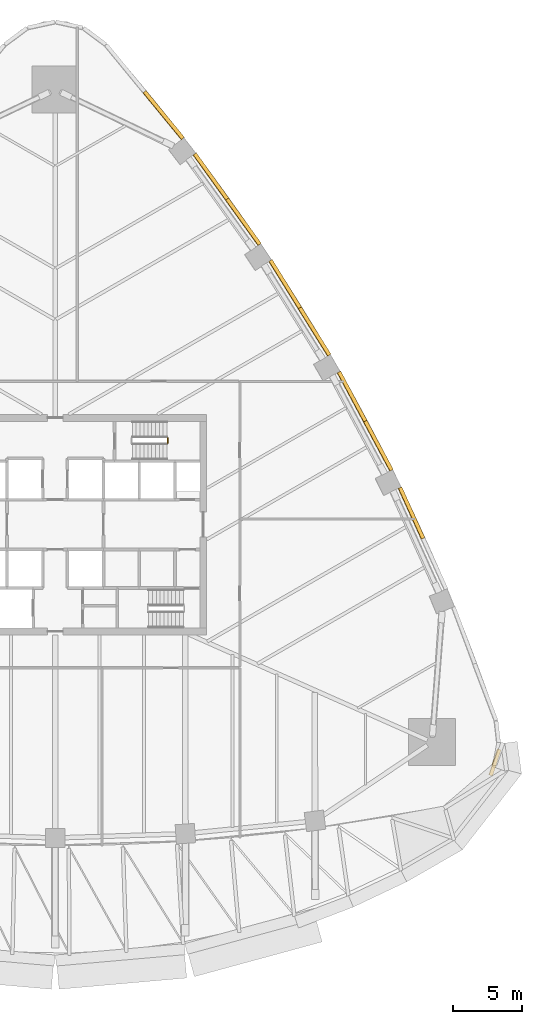
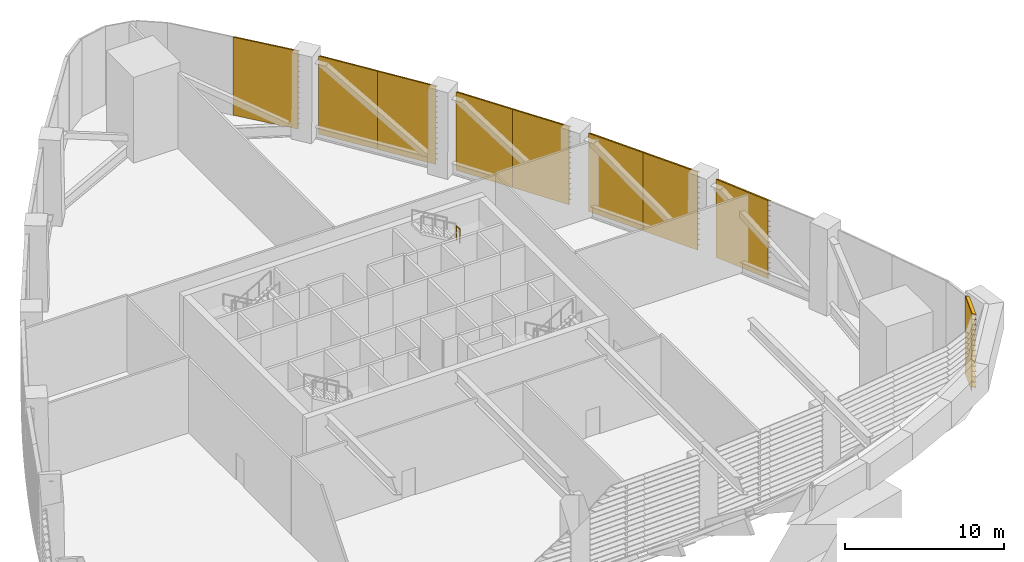
# One storey, part 14 of 15: 9 shading devices, 1 railing.
"""IFC4 building model written with IfcOpenShell, lengths in metres."""

from ifc_helpers import new_model, si_unit, direction, frame, origin, origin_2d, place, context, subcontext, project, spatial, polyline, circle, outline, extrude, material, type_object, element, save


model = new_model("IFC4")

# Units and contexts
model_context = context("Model", 3, precision=1e-05, world=origin(), true_north=direction((0.0, 1.0)))
body_context = subcontext(model_context, "Body", "Model", "MODEL_VIEW")
ifc_project = project(units=[si_unit("LENGTHUNIT", "METRE"), si_unit("AREAUNIT", "SQUARE_METRE"), si_unit("VOLUMEUNIT", "CUBIC_METRE"), si_unit("PLANEANGLEUNIT", "RADIAN"), si_unit("MASSUNIT", "GRAM", prefix="KILO")], contexts=[model_context])

# Site, building, storey
site_placement = place(None, origin())
site = spatial("IfcSite", under=ifc_project, at=site_placement, CompositionType="ELEMENT")
building_placement = place(site_placement, origin())
building = spatial("IfcBuilding", under=site, at=building_placement, Name="Sierra Prisma Convention Tower", CompositionType="ELEMENT")
storey_placement = place(building_placement, frame((0.0, 0.0, 34.199951171875)))
storey = spatial("IfcBuildingStorey", under=building, at=storey_placement, Name="L05", CompositionType="ELEMENT", Elevation=34.199951171875)

# Shading devices
ifc_material_1 = material(Name="Aluminium 6063-T6 bronze anodised", Category="aluminium")
shading_device_type = type_object("IfcShadingDeviceType", Name="Louvre bay bronze", PredefinedType="USERDEFINED", material=ifc_material_1)
shading_device_1_placement = place(storey_placement, frame((31.46875, -18.16845703125, 0.0), z_axis=(-0.307584225775, -0.951520858444, 0.0), x_axis=(0.0, 0.0, 1.0)))
element("IfcShadingDevice", 1, at=shading_device_1_placement, inside=storey, type_object=shading_device_type, Name="Louvre L05 SE3.1", ObjectType="LOUVRE", PredefinedType="USERDEFINED", context=body_context, shape_type="SweptSolid", body=[
    extrude(outline(polyline([(0.0, 0.0), (6.0, 0.0), (6.0, -0.030033237553081515), (5.97998046875, -0.030033237553081515), (5.860107421875, -0.3000320003103313), (5.830078125, -0.3000320003103313), (5.949951171875, -0.030033237553081515), (5.60009765625, -0.030033237553081515), (5.580078125, -0.030033237553081515), (5.4599609375, -0.3000320003103313), (5.429931640625, -0.3000320003103313), (5.550048828125, -0.030033237553081515), (5.199951171875, -0.030033237553081515), (5.179931640625, -0.030033237553081515), (5.06005859375, -0.3000320003103313), (5.030029296875, -0.3000320003103313), (5.150146484375, -0.030033237553081515), (4.800048828125, -0.030033237553081515), (4.780029296875, -0.030033237553081515), (4.66015625, -0.3000320003103313), (4.630126953125, -0.3000320003103313), (4.75, -0.030033237553081515), (4.400146484375, -0.030033237553081515), (4.380126953125, -0.030033237553081515), (4.260009765625, -0.3000320003103313), (4.22998046875, -0.3000320003103313), (4.35009765625, -0.030033237553081515), (4.0, -0.030033237553081515), (3.97998046875, -0.030033237553081515), (3.860107421875, -0.3000320003103313), (3.830078125, -0.3000320003103313), (3.949951171875, -0.030033237553081515), (3.60009765625, -0.030033237553081515), (3.580078125, -0.030033237553081515), (3.4599609375, -0.3000320003103313), (3.429931640625, -0.3000320003103313), (3.550048828125, -0.030033237553081515), (3.199951171875, -0.030033237553081515), (3.179931640625, -0.030033237553081515), (3.06005859375, -0.3000320003103313), (3.030029296875, -0.3000320003103313), (3.150146484375, -0.030033237553081515), (2.800048828125, -0.030033237553081515), (2.780029296875, -0.030033237553081515), (2.66015625, -0.3000320003103313), (2.630126953125, -0.3000320003103313), (2.75, -0.030033237553081515), (2.400146484375, -0.030033237553081515), (2.380126953125, -0.030033237553081515), (2.260009765625, -0.3000320003103313), (2.22998046875, -0.3000320003103313), (2.35009765625, -0.030033237553081515), (2.0, -0.030033237553081515), (1.97998046875, -0.030033237553081515), (1.860107421875, -0.3000320003103313), (1.830078125, -0.3000320003103313), (1.949951171875, -0.030033237553081515), (1.60009765625, -0.030033237553081515), (1.580078125, -0.030033237553081515), (1.4599609375, -0.3000320003103313), (1.429931640625, -0.3000320003103313), (1.550048828125, -0.030033237553081515), (1.199951171875, -0.030033237553081515), (1.179931640625, -0.030033237553081515), (1.06005859375, -0.3000320003103313), (1.030029296875, -0.3000320003103313), (1.150146484375, -0.030033237553081515), (0.800048828125, -0.030033237553081515), (0.780029296875, -0.030033237553081515), (0.66015625, -0.3000320003103313), (0.630126953125, -0.3000320003103313), (0.75, -0.030033237553081515), (0.400146484375, -0.030033237553081515), (0.380126953125, -0.030033237553081515), (0.260009765625, -0.3000320003103313), (0.22998046875, -0.3000320003103313), (0.35009765625, -0.030033237553081515), (0.0, -0.030033237553081515), (0.0, 0.0)])), origin(), (0.0, 0.0, -1.0), 2.00341796875),
])
shading_device_2_placement = place(storey_placement, frame((26.562744140625, -1.06591796875, 0.0), z_axis=(0.413647403297, -0.910437161887, 0.0), x_axis=(0.0, 0.0, 1.0)))
element("IfcShadingDevice", 2, at=shading_device_2_placement, inside=storey, type_object=shading_device_type, Name="Louvre L05 NE2.2", ObjectType="LOUVRE", PredefinedType="USERDEFINED", context=body_context, shape_type="SweptSolid", body=[
    extrude(outline(polyline([(0.0, 0.0), (6.0, 0.0), (6.0, -0.030045161059457964), (5.97998046875, -0.030045161059457964), (5.860107421875, -0.2999263714901415), (5.830078125, -0.2999263714901415), (5.949951171875, -0.030045161059457964), (5.60009765625, -0.030045161059457964), (5.580078125, -0.030045161059457964), (5.4599609375, -0.2999263714901415), (5.429931640625, -0.2999263714901415), (5.550048828125, -0.030045161059457964), (5.199951171875, -0.030045161059457964), (5.179931640625, -0.030045161059457964), (5.06005859375, -0.2999263714901415), (5.030029296875, -0.2999263714901415), (5.150146484375, -0.030045161059457964), (4.800048828125, -0.030045161059457964), (4.780029296875, -0.030045161059457964), (4.66015625, -0.2999263714901415), (4.630126953125, -0.2999263714901415), (4.75, -0.030045161059457964), (4.400146484375, -0.030045161059457964), (4.380126953125, -0.030045161059457964), (4.260009765625, -0.2999263714901415), (4.22998046875, -0.2999263714901415), (4.35009765625, -0.030045161059457964), (4.0, -0.030045161059457964), (3.97998046875, -0.030045161059457964), (3.860107421875, -0.2999263714901415), (3.830078125, -0.2999263714901415), (3.949951171875, -0.030045161059457964), (3.60009765625, -0.030045161059457964), (3.580078125, -0.030045161059457964), (3.4599609375, -0.2999263714901415), (3.429931640625, -0.2999263714901415), (3.550048828125, -0.030045161059457964), (3.199951171875, -0.030045161059457964), (3.179931640625, -0.030045161059457964), (3.06005859375, -0.2999263714901415), (3.030029296875, -0.2999263714901415), (3.150146484375, -0.030045161059457964), (2.800048828125, -0.030045161059457964), (2.780029296875, -0.030045161059457964), (2.66015625, -0.2999263714901415), (2.630126953125, -0.2999263714901415), (2.75, -0.030045161059457964), (2.400146484375, -0.030045161059457964), (2.380126953125, -0.030045161059457964), (2.260009765625, -0.2999263714901415), (2.22998046875, -0.2999263714901415), (2.35009765625, -0.030045161059457964), (2.0, -0.030045161059457964), (1.97998046875, -0.030045161059457964), (1.860107421875, -0.2999263714901415), (1.830078125, -0.2999263714901415), (1.949951171875, -0.030045161059457964), (1.60009765625, -0.030045161059457964), (1.580078125, -0.030045161059457964), (1.4599609375, -0.2999263714901415), (1.429931640625, -0.2999263714901415), (1.550048828125, -0.030045161059457964), (1.199951171875, -0.030045161059457964), (1.179931640625, -0.030045161059457964), (1.06005859375, -0.2999263714901415), (1.030029296875, -0.2999263714901415), (1.150146484375, -0.030045161059457964), (0.800048828125, -0.030045161059457964), (0.780029296875, -0.030045161059457964), (0.66015625, -0.2999263714901415), (0.630126953125, -0.2999263714901415), (0.75, -0.030045161059457964), (0.400146484375, -0.030045161059457964), (0.380126953125, -0.030045161059457964), (0.260009765625, -0.2999263714901415), (0.22998046875, -0.2999263714901415), (0.35009765625, -0.030045161059457964), (0.0, -0.030045161059457964), (0.0, 0.0)])), origin(), (0.0, 0.0, -1.0), 4.044189453125),
])
shading_device_3_placement = place(storey_placement, frame((24.27685546875, 3.873779296875, 0.0), z_axis=(0.472386754383, -0.881391374069, 0.0), x_axis=(0.0, 0.0, 1.0)))
element("IfcShadingDevice", 3, at=shading_device_3_placement, inside=storey, type_object=shading_device_type, Name="Louvre L05 NE3.1", ObjectType="LOUVRE", PredefinedType="USERDEFINED", context=body_context, shape_type="SweptSolid", body=[
    extrude(outline(polyline([(0.0, 0.0), (6.0, 0.0), (6.0, -0.029928881873457422), (5.97998046875, -0.029928881873457422), (5.860107421875, -0.29981904025992223), (5.830078125, -0.29981904025992223), (5.949951171875, -0.029928881873457422), (5.60009765625, -0.029928881873457422), (5.580078125, -0.029928881873457422), (5.4599609375, -0.29981904025992223), (5.429931640625, -0.29981904025992223), (5.550048828125, -0.029928881873457422), (5.199951171875, -0.029928881873457422), (5.179931640625, -0.029928881873457422), (5.06005859375, -0.29981904025992223), (5.030029296875, -0.29981904025992223), (5.150146484375, -0.029928881873457422), (4.800048828125, -0.029928881873457422), (4.780029296875, -0.029928881873457422), (4.66015625, -0.29981904025992223), (4.630126953125, -0.29981904025992223), (4.75, -0.029928881873457422), (4.400146484375, -0.029928881873457422), (4.380126953125, -0.029928881873457422), (4.260009765625, -0.29981904025992223), (4.22998046875, -0.29981904025992223), (4.35009765625, -0.029928881873457422), (4.0, -0.029928881873457422), (3.97998046875, -0.029928881873457422), (3.860107421875, -0.29981904025992223), (3.830078125, -0.29981904025992223), (3.949951171875, -0.029928881873457422), (3.60009765625, -0.029928881873457422), (3.580078125, -0.029928881873457422), (3.4599609375, -0.29981904025992223), (3.429931640625, -0.29981904025992223), (3.550048828125, -0.029928881873457422), (3.199951171875, -0.029928881873457422), (3.179931640625, -0.029928881873457422), (3.06005859375, -0.29981904025992223), (3.030029296875, -0.29981904025992223), (3.150146484375, -0.029928881873457422), (2.800048828125, -0.029928881873457422), (2.780029296875, -0.029928881873457422), (2.66015625, -0.29981904025992223), (2.630126953125, -0.29981904025992223), (2.75, -0.029928881873457422), (2.400146484375, -0.029928881873457422), (2.380126953125, -0.029928881873457422), (2.260009765625, -0.29981904025992223), (2.22998046875, -0.29981904025992223), (2.35009765625, -0.029928881873457422), (2.0, -0.029928881873457422), (1.97998046875, -0.029928881873457422), (1.860107421875, -0.29981904025992223), (1.830078125, -0.29981904025992223), (1.949951171875, -0.029928881873457422), (1.60009765625, -0.029928881873457422), (1.580078125, -0.029928881873457422), (1.4599609375, -0.29981904025992223), (1.429931640625, -0.29981904025992223), (1.550048828125, -0.029928881873457422), (1.199951171875, -0.029928881873457422), (1.179931640625, -0.029928881873457422), (1.06005859375, -0.29981904025992223), (1.030029296875, -0.29981904025992223), (1.150146484375, -0.029928881873457422), (0.800048828125, -0.029928881873457422), (0.780029296875, -0.029928881873457422), (0.66015625, -0.29981904025992223), (0.630126953125, -0.29981904025992223), (0.75, -0.029928881873457422), (0.400146484375, -0.029928881873457422), (0.380126953125, -0.029928881873457422), (0.260009765625, -0.29981904025992223), (0.22998046875, -0.29981904025992223), (0.35009765625, -0.029928881873457422), (0.0, -0.029928881873457422), (0.0, 0.0)])), origin(), (0.0, 0.0, -1.0), 4.044189453125),
])
shading_device_4_placement = place(storey_placement, frame((22.370849609375, 7.440673828125, 0.0), z_axis=(0.472234825385, -0.881472784431, 0.0), x_axis=(0.0, 0.0, 1.0)))
element("IfcShadingDevice", 4, at=shading_device_4_placement, inside=storey, type_object=shading_device_type, Name="Louvre L05 NE3.2", ObjectType="LOUVRE", PredefinedType="USERDEFINED", context=body_context, shape_type="SweptSolid", body=[
    extrude(outline(polyline([(0.0, 0.0), (6.0, 0.0), (6.0, -0.029928877097398165), (5.97998046875, -0.029928877097398165), (5.860107421875, -0.30003429253461156), (5.830078125, -0.30003429253461156), (5.949951171875, -0.029928877097398165), (5.60009765625, -0.029928877097398165), (5.580078125, -0.029928877097398165), (5.4599609375, -0.30003429253461156), (5.429931640625, -0.30003429253461156), (5.550048828125, -0.029928877097398165), (5.199951171875, -0.029928877097398165), (5.179931640625, -0.029928877097398165), (5.06005859375, -0.30003429253461156), (5.030029296875, -0.30003429253461156), (5.150146484375, -0.029928877097398165), (4.800048828125, -0.029928877097398165), (4.780029296875, -0.029928877097398165), (4.66015625, -0.30003429253461156), (4.630126953125, -0.30003429253461156), (4.75, -0.029928877097398165), (4.400146484375, -0.029928877097398165), (4.380126953125, -0.029928877097398165), (4.260009765625, -0.30003429253461156), (4.22998046875, -0.30003429253461156), (4.35009765625, -0.029928877097398165), (4.0, -0.029928877097398165), (3.97998046875, -0.029928877097398165), (3.860107421875, -0.30003429253461156), (3.830078125, -0.30003429253461156), (3.949951171875, -0.029928877097398165), (3.60009765625, -0.029928877097398165), (3.580078125, -0.029928877097398165), (3.4599609375, -0.30003429253461156), (3.429931640625, -0.30003429253461156), (3.550048828125, -0.029928877097398165), (3.199951171875, -0.029928877097398165), (3.179931640625, -0.029928877097398165), (3.06005859375, -0.30003429253461156), (3.030029296875, -0.30003429253461156), (3.150146484375, -0.029928877097398165), (2.800048828125, -0.029928877097398165), (2.780029296875, -0.029928877097398165), (2.66015625, -0.30003429253461156), (2.630126953125, -0.30003429253461156), (2.75, -0.029928877097398165), (2.400146484375, -0.029928877097398165), (2.380126953125, -0.029928877097398165), (2.260009765625, -0.30003429253461156), (2.22998046875, -0.30003429253461156), (2.35009765625, -0.029928877097398165), (2.0, -0.029928877097398165), (1.97998046875, -0.029928877097398165), (1.860107421875, -0.30003429253461156), (1.830078125, -0.30003429253461156), (1.949951171875, -0.029928877097398165), (1.60009765625, -0.029928877097398165), (1.580078125, -0.029928877097398165), (1.4599609375, -0.30003429253461156), (1.429931640625, -0.30003429253461156), (1.550048828125, -0.029928877097398165), (1.199951171875, -0.029928877097398165), (1.179931640625, -0.029928877097398165), (1.06005859375, -0.30003429253461156), (1.030029296875, -0.30003429253461156), (1.150146484375, -0.029928877097398165), (0.800048828125, -0.029928877097398165), (0.780029296875, -0.029928877097398165), (0.66015625, -0.30003429253461156), (0.630126953125, -0.30003429253461156), (0.75, -0.029928877097398165), (0.400146484375, -0.029928877097398165), (0.380126953125, -0.029928877097398165), (0.260009765625, -0.30003429253461156), (0.22998046875, -0.30003429253461156), (0.35009765625, -0.029928877097398165), (0.0, -0.029928877097398165), (0.0, 0.0)])), origin(), (0.0, 0.0, -1.0), 4.044189453125),
])
shading_device_5_placement = place(storey_placement, frame((19.765380859375, 12.219482421875, 0.0), z_axis=(0.529244404997, -0.848469421829, 0.0), x_axis=(0.0, 0.0, 1.0)))
element("IfcShadingDevice", 5, at=shading_device_5_placement, inside=storey, type_object=shading_device_type, Name="Louvre L05 NE4.1", ObjectType="LOUVRE", PredefinedType="USERDEFINED", context=body_context, shape_type="SweptSolid", body=[
    extrude(outline(polyline([(0.0, 0.0), (6.0, 0.0), (6.0, -0.029941822801526796), (5.97998046875, -0.029941822801526796), (5.860107421875, -0.2999104555202704), (5.830078125, -0.2999104555202704), (5.949951171875, -0.029941822801526796), (5.60009765625, -0.029941822801526796), (5.580078125, -0.029941822801526796), (5.4599609375, -0.2999104555202704), (5.429931640625, -0.2999104555202704), (5.550048828125, -0.029941822801526796), (5.199951171875, -0.029941822801526796), (5.179931640625, -0.029941822801526796), (5.06005859375, -0.2999104555202704), (5.030029296875, -0.2999104555202704), (5.150146484375, -0.029941822801526796), (4.800048828125, -0.029941822801526796), (4.780029296875, -0.029941822801526796), (4.66015625, -0.2999104555202704), (4.630126953125, -0.2999104555202704), (4.75, -0.029941822801526796), (4.400146484375, -0.029941822801526796), (4.380126953125, -0.029941822801526796), (4.260009765625, -0.2999104555202704), (4.22998046875, -0.2999104555202704), (4.35009765625, -0.029941822801526796), (4.0, -0.029941822801526796), (3.97998046875, -0.029941822801526796), (3.860107421875, -0.2999104555202704), (3.830078125, -0.2999104555202704), (3.949951171875, -0.029941822801526796), (3.60009765625, -0.029941822801526796), (3.580078125, -0.029941822801526796), (3.4599609375, -0.2999104555202704), (3.429931640625, -0.2999104555202704), (3.550048828125, -0.029941822801526796), (3.199951171875, -0.029941822801526796), (3.179931640625, -0.029941822801526796), (3.06005859375, -0.2999104555202704), (3.030029296875, -0.2999104555202704), (3.150146484375, -0.029941822801526796), (2.800048828125, -0.029941822801526796), (2.780029296875, -0.029941822801526796), (2.66015625, -0.2999104555202704), (2.630126953125, -0.2999104555202704), (2.75, -0.029941822801526796), (2.400146484375, -0.029941822801526796), (2.380126953125, -0.029941822801526796), (2.260009765625, -0.2999104555202704), (2.22998046875, -0.2999104555202704), (2.35009765625, -0.029941822801526796), (2.0, -0.029941822801526796), (1.97998046875, -0.029941822801526796), (1.860107421875, -0.2999104555202704), (1.830078125, -0.2999104555202704), (1.949951171875, -0.029941822801526796), (1.60009765625, -0.029941822801526796), (1.580078125, -0.029941822801526796), (1.4599609375, -0.2999104555202704), (1.429931640625, -0.2999104555202704), (1.550048828125, -0.029941822801526796), (1.199951171875, -0.029941822801526796), (1.179931640625, -0.029941822801526796), (1.06005859375, -0.2999104555202704), (1.030029296875, -0.2999104555202704), (1.150146484375, -0.029941822801526796), (0.800048828125, -0.029941822801526796), (0.780029296875, -0.029941822801526796), (0.66015625, -0.2999104555202704), (0.630126953125, -0.2999104555202704), (0.75, -0.029941822801526796), (0.400146484375, -0.029941822801526796), (0.380126953125, -0.029941822801526796), (0.260009765625, -0.2999104555202704), (0.22998046875, -0.2999104555202704), (0.35009765625, -0.029941822801526796), (0.0, -0.029941822801526796), (0.0, 0.0)])), origin(), (0.0, 0.0, -1.0), 4.044189453125),
])
shading_device_6_placement = place(storey_placement, frame((17.629150390625, 15.6533203125, 0.0), z_axis=(0.527067455118, -0.849823450933, 0.0), x_axis=(0.0, 0.0, 1.0)))
element("IfcShadingDevice", 6, at=shading_device_6_placement, inside=storey, type_object=shading_device_type, Name="Louvre L05 NE4.2", ObjectType="LOUVRE", PredefinedType="USERDEFINED", context=body_context, shape_type="SweptSolid", body=[
    extrude(outline(polyline([(0.0, 0.0), (6.0, 0.0), (6.0, -0.030149132551420984), (5.97998046875, -0.030149132551420984), (5.860107421875, -0.30011778836559744), (5.830078125, -0.30011778836559744), (5.949951171875, -0.030149132551420984), (5.60009765625, -0.030149132551420984), (5.580078125, -0.030149132551420984), (5.4599609375, -0.30011778836559744), (5.429931640625, -0.30011778836559744), (5.550048828125, -0.030149132551420984), (5.199951171875, -0.030149132551420984), (5.179931640625, -0.030149132551420984), (5.06005859375, -0.30011778836559744), (5.030029296875, -0.30011778836559744), (5.150146484375, -0.030149132551420984), (4.800048828125, -0.030149132551420984), (4.780029296875, -0.030149132551420984), (4.66015625, -0.30011778836559744), (4.630126953125, -0.30011778836559744), (4.75, -0.030149132551420984), (4.400146484375, -0.030149132551420984), (4.380126953125, -0.030149132551420984), (4.260009765625, -0.30011778836559744), (4.22998046875, -0.30011778836559744), (4.35009765625, -0.030149132551420984), (4.0, -0.030149132551420984), (3.97998046875, -0.030149132551420984), (3.860107421875, -0.30011778836559744), (3.830078125, -0.30011778836559744), (3.949951171875, -0.030149132551420984), (3.60009765625, -0.030149132551420984), (3.580078125, -0.030149132551420984), (3.4599609375, -0.30011778836559744), (3.429931640625, -0.30011778836559744), (3.550048828125, -0.030149132551420984), (3.199951171875, -0.030149132551420984), (3.179931640625, -0.030149132551420984), (3.06005859375, -0.30011778836559744), (3.030029296875, -0.30011778836559744), (3.150146484375, -0.030149132551420984), (2.800048828125, -0.030149132551420984), (2.780029296875, -0.030149132551420984), (2.66015625, -0.30011778836559744), (2.630126953125, -0.30011778836559744), (2.75, -0.030149132551420984), (2.400146484375, -0.030149132551420984), (2.380126953125, -0.030149132551420984), (2.260009765625, -0.30011778836559744), (2.22998046875, -0.30011778836559744), (2.35009765625, -0.030149132551420984), (2.0, -0.030149132551420984), (1.97998046875, -0.030149132551420984), (1.860107421875, -0.30011778836559744), (1.830078125, -0.30011778836559744), (1.949951171875, -0.030149132551420984), (1.60009765625, -0.030149132551420984), (1.580078125, -0.030149132551420984), (1.4599609375, -0.30011778836559744), (1.429931640625, -0.30011778836559744), (1.550048828125, -0.030149132551420984), (1.199951171875, -0.030149132551420984), (1.179931640625, -0.030149132551420984), (1.06005859375, -0.30011778836559744), (1.030029296875, -0.30011778836559744), (1.150146484375, -0.030149132551420984), (0.800048828125, -0.030149132551420984), (0.780029296875, -0.030149132551420984), (0.66015625, -0.30011778836559744), (0.630126953125, -0.30011778836559744), (0.75, -0.030149132551420984), (0.400146484375, -0.030149132551420984), (0.380126953125, -0.030149132551420984), (0.260009765625, -0.30011778836559744), (0.22998046875, -0.30011778836559744), (0.35009765625, -0.030149132551420984), (0.0, -0.030149132551420984), (0.0, 0.0)])), origin(), (0.0, 0.0, -1.0), 4.044189453125),
])
shading_device_7_placement = place(storey_placement, frame((14.71533203125, 20.25048828125, 0.0), z_axis=(0.583758396857, -0.811927419231, 0.0), x_axis=(0.0, 0.0, 1.0)))
element("IfcShadingDevice", 7, at=shading_device_7_placement, inside=storey, type_object=shading_device_type, Name="Louvre L05 NE5.1", ObjectType="LOUVRE", PredefinedType="USERDEFINED", context=body_context, shape_type="SweptSolid", body=[
    extrude(outline(polyline([(0.0, 0.0), (6.0, 0.0), (6.0, -0.03008382482831877), (5.97998046875, -0.03008382482831877), (5.860107421875, -0.30021246639602933), (5.830078125, -0.30021246639602933), (5.949951171875, -0.03008382482831877), (5.60009765625, -0.03008382482831877), (5.580078125, -0.03008382482831877), (5.4599609375, -0.30021246639602933), (5.429931640625, -0.30021246639602933), (5.550048828125, -0.03008382482831877), (5.199951171875, -0.03008382482831877), (5.179931640625, -0.03008382482831877), (5.06005859375, -0.30021246639602933), (5.030029296875, -0.30021246639602933), (5.150146484375, -0.03008382482831877), (4.800048828125, -0.03008382482831877), (4.780029296875, -0.03008382482831877), (4.66015625, -0.30021246639602933), (4.630126953125, -0.30021246639602933), (4.75, -0.03008382482831877), (4.400146484375, -0.03008382482831877), (4.380126953125, -0.03008382482831877), (4.260009765625, -0.30021246639602933), (4.22998046875, -0.30021246639602933), (4.35009765625, -0.03008382482831877), (4.0, -0.03008382482831877), (3.97998046875, -0.03008382482831877), (3.860107421875, -0.30021246639602933), (3.830078125, -0.30021246639602933), (3.949951171875, -0.03008382482831877), (3.60009765625, -0.03008382482831877), (3.580078125, -0.03008382482831877), (3.4599609375, -0.30021246639602933), (3.429931640625, -0.30021246639602933), (3.550048828125, -0.03008382482831877), (3.199951171875, -0.03008382482831877), (3.179931640625, -0.03008382482831877), (3.06005859375, -0.30021246639602933), (3.030029296875, -0.30021246639602933), (3.150146484375, -0.03008382482831877), (2.800048828125, -0.03008382482831877), (2.780029296875, -0.03008382482831877), (2.66015625, -0.30021246639602933), (2.630126953125, -0.30021246639602933), (2.75, -0.03008382482831877), (2.400146484375, -0.03008382482831877), (2.380126953125, -0.03008382482831877), (2.260009765625, -0.30021246639602933), (2.22998046875, -0.30021246639602933), (2.35009765625, -0.03008382482831877), (2.0, -0.03008382482831877), (1.97998046875, -0.03008382482831877), (1.860107421875, -0.30021246639602933), (1.830078125, -0.30021246639602933), (1.949951171875, -0.03008382482831877), (1.60009765625, -0.03008382482831877), (1.580078125, -0.03008382482831877), (1.4599609375, -0.30021246639602933), (1.429931640625, -0.30021246639602933), (1.550048828125, -0.03008382482831877), (1.199951171875, -0.03008382482831877), (1.179931640625, -0.03008382482831877), (1.06005859375, -0.30021246639602933), (1.030029296875, -0.30021246639602933), (1.150146484375, -0.03008382482831877), (0.800048828125, -0.03008382482831877), (0.780029296875, -0.03008382482831877), (0.66015625, -0.30021246639602933), (0.630126953125, -0.30021246639602933), (0.75, -0.03008382482831877), (0.400146484375, -0.03008382482831877), (0.380126953125, -0.03008382482831877), (0.260009765625, -0.30021246639602933), (0.22998046875, -0.30021246639602933), (0.35009765625, -0.03008382482831877), (0.0, -0.03008382482831877), (0.0, 0.0)])), origin(), (0.0, 0.0, -1.0), 4.044189453125),
])
shading_device_8_placement = place(storey_placement, frame((12.3583984375, 23.536865234375, 0.0), z_axis=(0.583690973904, -0.811975890642, 0.0), x_axis=(0.0, 0.0, 1.0)))
element("IfcShadingDevice", 8, at=shading_device_8_placement, inside=storey, type_object=shading_device_type, Name="Louvre L05 NE5.2", ObjectType="LOUVRE", PredefinedType="USERDEFINED", context=body_context, shape_type="SweptSolid", body=[
    extrude(outline(polyline([(0.0, 0.0), (6.0, 0.0), (6.0, -0.030083823043270133), (5.97998046875, -0.030083823043270133), (5.860107421875, -0.29987174711314607), (5.830078125, -0.29987174711314607), (5.949951171875, -0.030083823043270133), (5.60009765625, -0.030083823043270133), (5.580078125, -0.030083823043270133), (5.4599609375, -0.29987174711314607), (5.429931640625, -0.29987174711314607), (5.550048828125, -0.030083823043270133), (5.199951171875, -0.030083823043270133), (5.179931640625, -0.030083823043270133), (5.06005859375, -0.29987174711314607), (5.030029296875, -0.29987174711314607), (5.150146484375, -0.030083823043270133), (4.800048828125, -0.030083823043270133), (4.780029296875, -0.030083823043270133), (4.66015625, -0.29987174711314607), (4.630126953125, -0.29987174711314607), (4.75, -0.030083823043270133), (4.400146484375, -0.030083823043270133), (4.380126953125, -0.030083823043270133), (4.260009765625, -0.29987174711314607), (4.22998046875, -0.29987174711314607), (4.35009765625, -0.030083823043270133), (4.0, -0.030083823043270133), (3.97998046875, -0.030083823043270133), (3.860107421875, -0.29987174711314607), (3.830078125, -0.29987174711314607), (3.949951171875, -0.030083823043270133), (3.60009765625, -0.030083823043270133), (3.580078125, -0.030083823043270133), (3.4599609375, -0.29987174711314607), (3.429931640625, -0.29987174711314607), (3.550048828125, -0.030083823043270133), (3.199951171875, -0.030083823043270133), (3.179931640625, -0.030083823043270133), (3.06005859375, -0.29987174711314607), (3.030029296875, -0.29987174711314607), (3.150146484375, -0.030083823043270133), (2.800048828125, -0.030083823043270133), (2.780029296875, -0.030083823043270133), (2.66015625, -0.29987174711314607), (2.630126953125, -0.29987174711314607), (2.75, -0.030083823043270133), (2.400146484375, -0.030083823043270133), (2.380126953125, -0.030083823043270133), (2.260009765625, -0.29987174711314607), (2.22998046875, -0.29987174711314607), (2.35009765625, -0.030083823043270133), (2.0, -0.030083823043270133), (1.97998046875, -0.030083823043270133), (1.860107421875, -0.29987174711314607), (1.830078125, -0.29987174711314607), (1.949951171875, -0.030083823043270133), (1.60009765625, -0.030083823043270133), (1.580078125, -0.030083823043270133), (1.4599609375, -0.29987174711314607), (1.429931640625, -0.29987174711314607), (1.550048828125, -0.030083823043270133), (1.199951171875, -0.030083823043270133), (1.179931640625, -0.030083823043270133), (1.06005859375, -0.29987174711314607), (1.030029296875, -0.29987174711314607), (1.150146484375, -0.030083823043270133), (0.800048828125, -0.030083823043270133), (0.780029296875, -0.030083823043270133), (0.66015625, -0.29987174711314607), (0.630126953125, -0.29987174711314607), (0.75, -0.030083823043270133), (0.400146484375, -0.030083823043270133), (0.380126953125, -0.030083823043270133), (0.260009765625, -0.29987174711314607), (0.22998046875, -0.29987174711314607), (0.35009765625, -0.030083823043270133), (0.0, -0.030083823043270133), (0.0, 0.0)])), origin(), (0.0, 0.0, -1.0), 4.044189453125),
])
shading_device_9_placement = place(storey_placement, frame((9.148681640625, 27.9326171875, 0.0), z_axis=(0.634565916964, -0.77286874502, 0.0), x_axis=(0.0, 0.0, 1.0)))
element("IfcShadingDevice", 9, at=shading_device_9_placement, inside=storey, type_object=shading_device_type, Name="Louvre L05 NE6.1", ObjectType="LOUVRE", PredefinedType="USERDEFINED", context=body_context, shape_type="SweptSolid", body=[
    extrude(outline(polyline([(0.0, 0.0), (6.0, 0.0), (6.0, -0.030009441479497363), (5.97998046875, -0.030009441479497363), (5.860107421875, -0.3000944147949737), (5.830078125, -0.3000944147949737), (5.949951171875, -0.030009441479497363), (5.60009765625, -0.030009441479497363), (5.580078125, -0.030009441479497363), (5.4599609375, -0.3000944147949737), (5.429931640625, -0.3000944147949737), (5.550048828125, -0.030009441479497363), (5.199951171875, -0.030009441479497363), (5.179931640625, -0.030009441479497363), (5.06005859375, -0.3000944147949737), (5.030029296875, -0.3000944147949737), (5.150146484375, -0.030009441479497363), (4.800048828125, -0.030009441479497363), (4.780029296875, -0.030009441479497363), (4.66015625, -0.3000944147949737), (4.630126953125, -0.3000944147949737), (4.75, -0.030009441479497363), (4.400146484375, -0.030009441479497363), (4.380126953125, -0.030009441479497363), (4.260009765625, -0.3000944147949737), (4.22998046875, -0.3000944147949737), (4.35009765625, -0.030009441479497363), (4.0, -0.030009441479497363), (3.97998046875, -0.030009441479497363), (3.860107421875, -0.3000944147949737), (3.830078125, -0.3000944147949737), (3.949951171875, -0.030009441479497363), (3.60009765625, -0.030009441479497363), (3.580078125, -0.030009441479497363), (3.4599609375, -0.3000944147949737), (3.429931640625, -0.3000944147949737), (3.550048828125, -0.030009441479497363), (3.199951171875, -0.030009441479497363), (3.179931640625, -0.030009441479497363), (3.06005859375, -0.3000944147949737), (3.030029296875, -0.3000944147949737), (3.150146484375, -0.030009441479497363), (2.800048828125, -0.030009441479497363), (2.780029296875, -0.030009441479497363), (2.66015625, -0.3000944147949737), (2.630126953125, -0.3000944147949737), (2.75, -0.030009441479497363), (2.400146484375, -0.030009441479497363), (2.380126953125, -0.030009441479497363), (2.260009765625, -0.3000944147949737), (2.22998046875, -0.3000944147949737), (2.35009765625, -0.030009441479497363), (2.0, -0.030009441479497363), (1.97998046875, -0.030009441479497363), (1.860107421875, -0.3000944147949737), (1.830078125, -0.3000944147949737), (1.949951171875, -0.030009441479497363), (1.60009765625, -0.030009441479497363), (1.580078125, -0.030009441479497363), (1.4599609375, -0.3000944147949737), (1.429931640625, -0.3000944147949737), (1.550048828125, -0.030009441479497363), (1.199951171875, -0.030009441479497363), (1.179931640625, -0.030009441479497363), (1.06005859375, -0.3000944147949737), (1.030029296875, -0.3000944147949737), (1.150146484375, -0.030009441479497363), (0.800048828125, -0.030009441479497363), (0.780029296875, -0.030009441479497363), (0.66015625, -0.3000944147949737), (0.630126953125, -0.3000944147949737), (0.75, -0.030009441479497363), (0.400146484375, -0.030009441479497363), (0.380126953125, -0.030009441479497363), (0.260009765625, -0.3000944147949737), (0.22998046875, -0.3000944147949737), (0.35009765625, -0.030009441479497363), (0.0, -0.030009441479497363), (0.0, 0.0)])), origin(), (0.0, 0.0, -1.0), 4.394287109375),
])

# Railing
ifc_material_2 = material(Name="Stainless steel", Category="steel")
railing_type = type_object("IfcRailingType", Name="Stair guard 1100", PredefinedType="GUARDRAIL", material=ifc_material_2)
railing_placement = place(storey_placement, frame((8.169921875, 5.89990234375, 4.949951171875)))
element("IfcRailing", 10, at=railing_placement, inside=storey, type_object=railing_type, Name="L05 S4 stair guard 6", PredefinedType="GUARDRAIL", context=body_context, shape_type="SweptSolid", body=[
    extrude(circle(Radius=0.02392578125, at=origin_2d()), frame((0.0, 0.0, 1.076171875), z_axis=(0.0, 1.0, 0.0), x_axis=(-1.0, 0.0, 0.0)), (0.0, 0.0, 1.0), 0.400146484375),
    extrude(circle(Radius=0.02099609375, at=origin_2d()), origin(), (0.0, 0.0, 1.0), 1.052001953125),
    extrude(circle(Radius=0.02099609375, at=origin_2d()), frame((0.0, 0.400146484375, 0.0)), (0.0, 0.0, 1.0), 1.052001953125),
])

save(model, "model.ifc")
